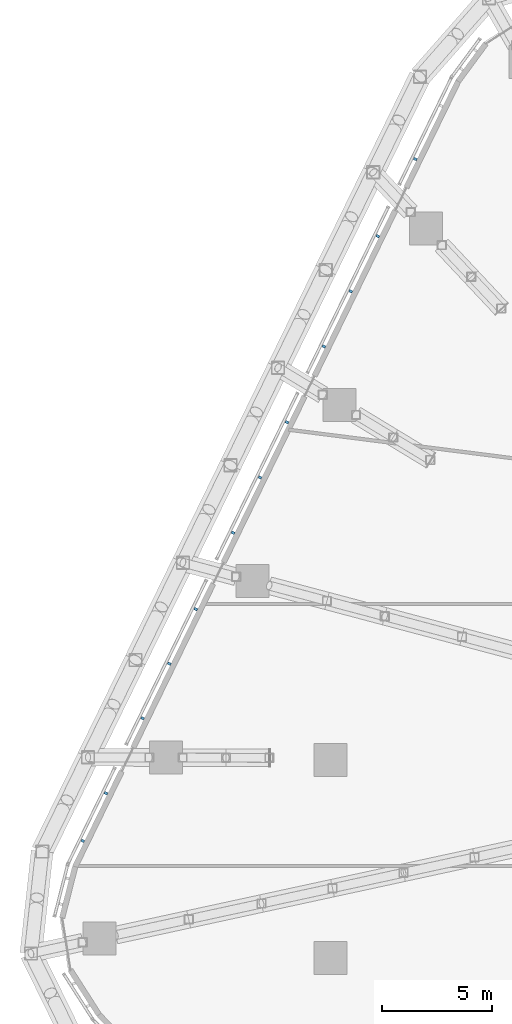
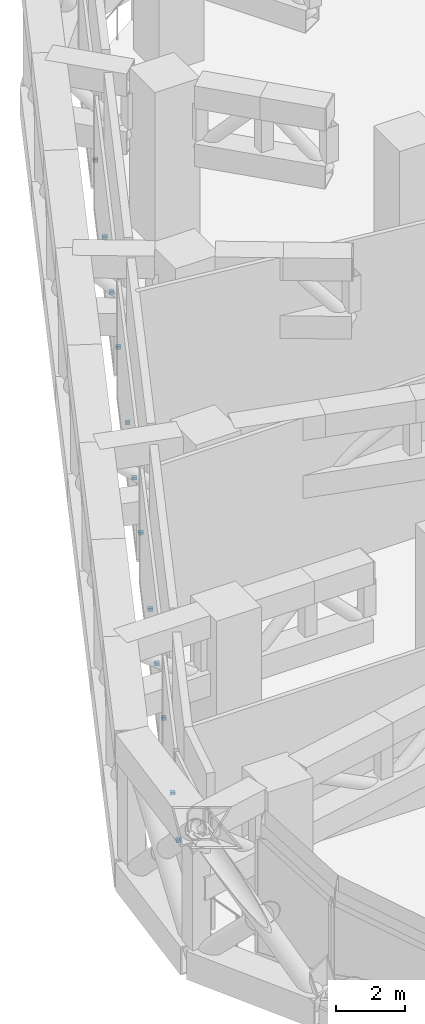
# One storey, part 26 of 38: 12 discrete accessories, 1 element without a shape of its own.
"""IFC4 building model written with IfcOpenShell, lengths in metres."""

from ifc_helpers import new_model, si_unit, direction, frame, origin, origin_2d, place, context, subcontext, project, spatial, rectangle, extrude, material, layer, layer_set, type_object, element, aggregate, save


model = new_model("IFC4")

# Units and contexts
model_context = context("Model", 3, precision=1e-05, world=origin(), true_north=direction((0.0, 1.0)))
body_context = subcontext(model_context, "Body", "Model", "MODEL_VIEW")
ifc_project = project(units=[si_unit("LENGTHUNIT", "METRE"), si_unit("AREAUNIT", "SQUARE_METRE"), si_unit("VOLUMEUNIT", "CUBIC_METRE"), si_unit("PLANEANGLEUNIT", "RADIAN"), si_unit("MASSUNIT", "GRAM", prefix="KILO")], contexts=[model_context])

# Site, building, storey
site_placement = place(None, origin())
site = spatial("IfcSite", under=ifc_project, at=site_placement, CompositionType="ELEMENT")
building_placement = place(site_placement, origin())
building = spatial("IfcBuilding", under=site, at=building_placement, Name="Dongbaek Canopy Tower", CompositionType="ELEMENT")
storey_placement = place(building_placement, frame((0.0, 0.0, 89.199951171875)))
storey = spatial("IfcBuildingStorey", under=building, at=storey_placement, Name="L18", CompositionType="ELEMENT", Elevation=89.199951171875)

# Curtain wall, discrete accessories
ifc_material_1 = material(Name="Aluminium 6063-T6 pale anodised", Category="aluminium")
ifc_layer = layer(ifc_material_1, 0.14990234375)
ifc_layer_set = layer_set([ifc_layer], Name="CW-7 louvre curtain wall")
curtain_wall_type = type_object("IfcCurtainWallType", Name="CW-7 louvre curtain wall", PredefinedType="NOTDEFINED", material=ifc_layer_set)
curtain_wall_placement = place(storey_placement, origin())
curtain_wall = element("IfcCurtainWall", 1, at=curtain_wall_placement, inside=storey, type_object=curtain_wall_type, Name="CW-7 louvre wall L18 F2", PredefinedType="NOTDEFINED")
ifc_material_2 = material(Name="Galvanised steel S355 bracket", Category="steel")
discrete_accessory_type = type_object("IfcDiscreteAccessoryType", Name="Louvre bracket BR1", PredefinedType="BRACKET", material=ifc_material_2)
discrete_accessory_1_placement = place(storey_placement, frame((-23.13916015625, 27.282470703125, 0.6650390625), z_axis=(0.0, 0.0, 1.0), x_axis=(-0.438327995219, -0.898815091444, 0.0)))
discrete_accessory_1 = element("IfcDiscreteAccessory", 2, at=discrete_accessory_1_placement, type_object=discrete_accessory_type, Name="Louvre bracket L18 F2.1.2", PredefinedType="BRACKET", context=body_context, shape_type="SweptSolid", body=[
    extrude(rectangle(XDim=0.1201171875, YDim=0.14990234375, at=origin_2d()), origin(), (0.0, 0.0, 1.0), 0.10009765625),
])
discrete_accessory_2_placement = place(storey_placement, frame((-24.847412109375, 23.779541015625, 0.6650390625), z_axis=(0.0, 0.0, 1.0), x_axis=(-0.438327995219, -0.898815091444, 0.0)))
discrete_accessory_2 = element("IfcDiscreteAccessory", 3, at=discrete_accessory_2_placement, type_object=discrete_accessory_type, Name="Louvre bracket L18 F2.2.1", PredefinedType="BRACKET", context=body_context, shape_type="SweptSolid", body=[
    extrude(rectangle(XDim=0.1201171875, YDim=0.14990234375, at=origin_2d()), origin(), (0.0, 0.0, 1.0), 0.10009765625),
])
discrete_accessory_3_placement = place(storey_placement, frame((-26.068115234375, 21.276123046875, 0.6650390625), z_axis=(0.0, 0.0, 1.0), x_axis=(-0.438327995219, -0.898815091444, 0.0)))
discrete_accessory_3 = element("IfcDiscreteAccessory", 4, at=discrete_accessory_3_placement, type_object=discrete_accessory_type, Name="Louvre bracket L18 F2.2.2", PredefinedType="BRACKET", context=body_context, shape_type="SweptSolid", body=[
    extrude(rectangle(XDim=0.1201171875, YDim=0.14990234375, at=origin_2d()), origin(), (0.0, 0.0, 1.0), 0.10009765625),
])
discrete_accessory_4_placement = place(storey_placement, frame((-27.2890625, 18.772705078125, 0.6650390625), z_axis=(0.0, 0.0, 1.0), x_axis=(-0.438327995219, -0.898815091444, 0.0)))
discrete_accessory_4 = element("IfcDiscreteAccessory", 5, at=discrete_accessory_4_placement, type_object=discrete_accessory_type, Name="Louvre bracket L18 F2.2.3", PredefinedType="BRACKET", context=body_context, shape_type="SweptSolid", body=[
    extrude(rectangle(XDim=0.1201171875, YDim=0.14990234375, at=origin_2d()), origin(), (0.0, 0.0, 1.0), 0.10009765625),
])
discrete_accessory_5_placement = place(storey_placement, frame((-28.966796875, 15.332275390625, 0.6650390625), z_axis=(0.0, 0.0, 1.0), x_axis=(-0.438327995219, -0.898815091444, 0.0)))
discrete_accessory_5 = element("IfcDiscreteAccessory", 6, at=discrete_accessory_5_placement, type_object=discrete_accessory_type, Name="Louvre bracket L18 F2.3.1", PredefinedType="BRACKET", context=body_context, shape_type="SweptSolid", body=[
    extrude(rectangle(XDim=0.1201171875, YDim=0.14990234375, at=origin_2d()), origin(), (0.0, 0.0, 1.0), 0.10009765625),
])
discrete_accessory_6_placement = place(storey_placement, frame((-30.19091796875, 12.822265625, 0.6650390625), z_axis=(0.0, 0.0, 1.0), x_axis=(-0.438327995219, -0.898815091444, 0.0)))
discrete_accessory_6 = element("IfcDiscreteAccessory", 7, at=discrete_accessory_6_placement, type_object=discrete_accessory_type, Name="Louvre bracket L18 F2.3.2", PredefinedType="BRACKET", context=body_context, shape_type="SweptSolid", body=[
    extrude(rectangle(XDim=0.1201171875, YDim=0.14990234375, at=origin_2d()), origin(), (0.0, 0.0, 1.0), 0.10009765625),
])
discrete_accessory_7_placement = place(storey_placement, frame((-31.4150390625, 10.312255859375, 0.6650390625), z_axis=(0.0, 0.0, 1.0), x_axis=(-0.438327995219, -0.898815091444, 0.0)))
discrete_accessory_7 = element("IfcDiscreteAccessory", 8, at=discrete_accessory_7_placement, type_object=discrete_accessory_type, Name="Louvre bracket L18 F2.3.3", PredefinedType="BRACKET", context=body_context, shape_type="SweptSolid", body=[
    extrude(rectangle(XDim=0.1201171875, YDim=0.14990234375, at=origin_2d()), origin(), (0.0, 0.0, 1.0), 0.10009765625),
])
discrete_accessory_8_placement = place(storey_placement, frame((-33.1064453125, 6.84375, 0.6650390625), z_axis=(0.0, 0.0, 1.0), x_axis=(-0.438327995219, -0.898815091444, 0.0)))
discrete_accessory_8 = element("IfcDiscreteAccessory", 9, at=discrete_accessory_8_placement, type_object=discrete_accessory_type, Name="Louvre bracket L18 F2.4.1", PredefinedType="BRACKET", context=body_context, shape_type="SweptSolid", body=[
    extrude(rectangle(XDim=0.1201171875, YDim=0.14990234375, at=origin_2d()), origin(), (0.0, 0.0, 1.0), 0.10009765625),
])
discrete_accessory_9_placement = place(storey_placement, frame((-34.315673828125, 4.3642578125, 0.6650390625), z_axis=(0.0, 0.0, 1.0), x_axis=(-0.438327995219, -0.898815091444, 0.0)))
discrete_accessory_9 = element("IfcDiscreteAccessory", 10, at=discrete_accessory_9_placement, type_object=discrete_accessory_type, Name="Louvre bracket L18 F2.4.2", PredefinedType="BRACKET", context=body_context, shape_type="SweptSolid", body=[
    extrude(rectangle(XDim=0.1201171875, YDim=0.14990234375, at=origin_2d()), origin(), (0.0, 0.0, 1.0), 0.10009765625),
])
discrete_accessory_10_placement = place(storey_placement, frame((-35.524658203125, 1.884765625, 0.6650390625), z_axis=(0.0, 0.0, 1.0), x_axis=(-0.438327995219, -0.898815091444, 0.0)))
discrete_accessory_10 = element("IfcDiscreteAccessory", 11, at=discrete_accessory_10_placement, type_object=discrete_accessory_type, Name="Louvre bracket L18 F2.4.3", PredefinedType="BRACKET", context=body_context, shape_type="SweptSolid", body=[
    extrude(rectangle(XDim=0.1201171875, YDim=0.14990234375, at=origin_2d()), origin(), (0.0, 0.0, 1.0), 0.10009765625),
])
discrete_accessory_11_placement = place(storey_placement, frame((-37.185546875, -1.5205078125, 0.6650390625), z_axis=(0.0, 0.0, 1.0), x_axis=(-0.438327995219, -0.898815091444, 0.0)))
discrete_accessory_11 = element("IfcDiscreteAccessory", 12, at=discrete_accessory_11_placement, type_object=discrete_accessory_type, Name="Louvre bracket L18 F2.5.1", PredefinedType="BRACKET", context=body_context, shape_type="SweptSolid", body=[
    extrude(rectangle(XDim=0.1201171875, YDim=0.14990234375, at=origin_2d()), origin(), (0.0, 0.0, 1.0), 0.10009765625),
])
discrete_accessory_12_placement = place(storey_placement, frame((-38.240966796875, -3.684814453125, 0.6650390625), z_axis=(0.0, 0.0, 1.0), x_axis=(-0.438327995219, -0.898815091444, 0.0)))
discrete_accessory_12 = element("IfcDiscreteAccessory", 13, at=discrete_accessory_12_placement, type_object=discrete_accessory_type, Name="Louvre bracket L18 F2.5.2", PredefinedType="BRACKET", context=body_context, shape_type="SweptSolid", body=[
    extrude(rectangle(XDim=0.1201171875, YDim=0.14990234375, at=origin_2d()), origin(), (0.0, 0.0, 1.0), 0.10009765625),
])
aggregate(curtain_wall, [discrete_accessory_1, discrete_accessory_2, discrete_accessory_3, discrete_accessory_4, discrete_accessory_5, discrete_accessory_6, discrete_accessory_7, discrete_accessory_8, discrete_accessory_9, discrete_accessory_10, discrete_accessory_11, discrete_accessory_12])

save(model, "model.ifc")
